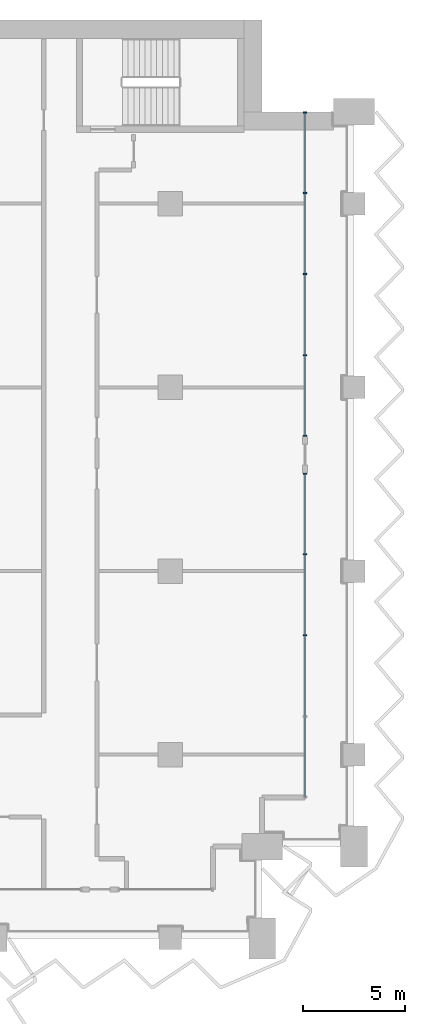
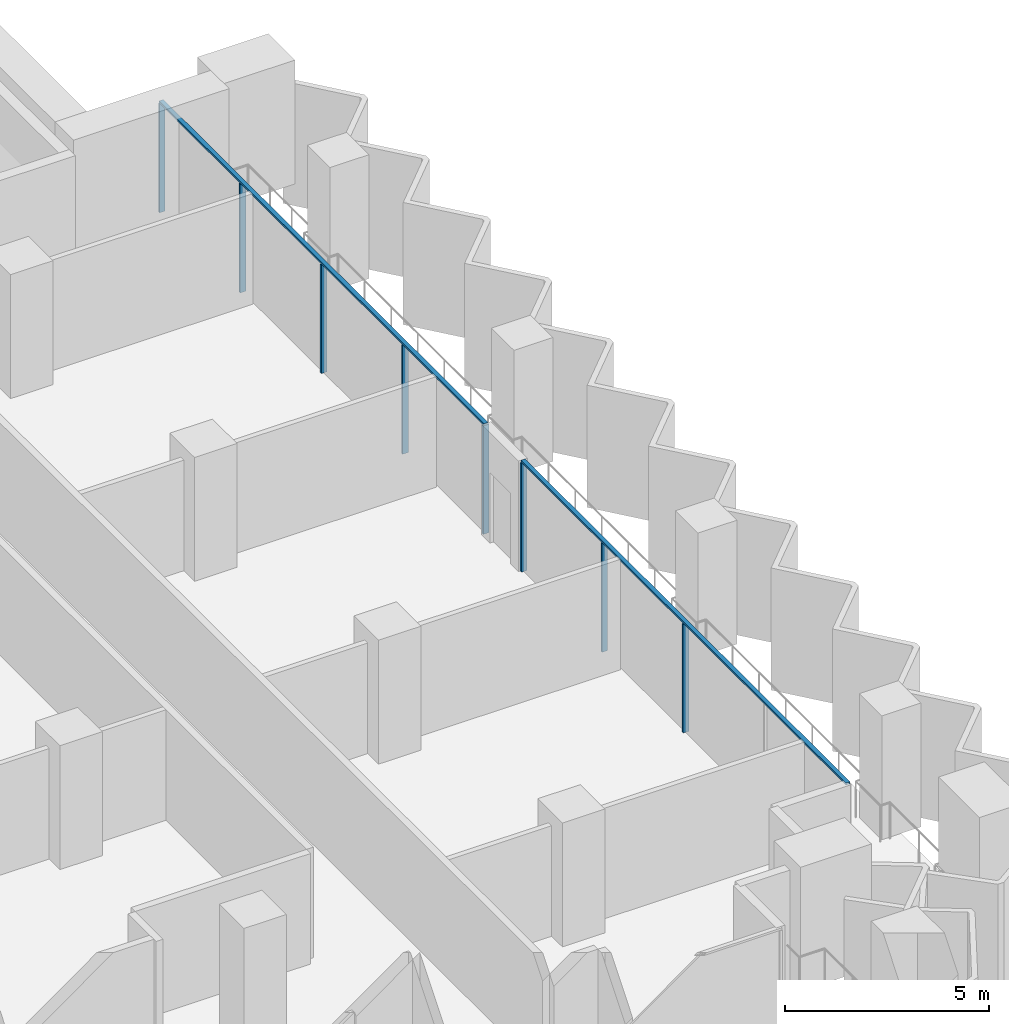
# One storey, part 5 of 22: 10 members, 2 elements without a shape of their own.
"""IFC4 building model written with IfcOpenShell, lengths in metres."""

from ifc_helpers import new_model, si_unit, direction, frame, origin, origin_2d, place, context, subcontext, project, spatial, rectangle, extrude, material, material_profile, profile_set, type_object, element, aggregate, save


model = new_model("IFC4")

# Units and contexts
model_context = context("Model", 3, precision=1e-05, world=origin(), true_north=direction((0.0, 1.0)))
body_context = subcontext(model_context, "Body", "Model", "MODEL_VIEW")
ifc_project = project(units=[si_unit("LENGTHUNIT", "METRE"), si_unit("AREAUNIT", "SQUARE_METRE"), si_unit("VOLUMEUNIT", "CUBIC_METRE"), si_unit("PLANEANGLEUNIT", "RADIAN"), si_unit("MASSUNIT", "GRAM", prefix="KILO")], contexts=[model_context])

# Site, building, storey
site_placement = place(None, origin())
site = spatial("IfcSite", under=ifc_project, at=site_placement, CompositionType="ELEMENT")
building_placement = place(site_placement, origin())
building = spatial("IfcBuilding", under=site, at=building_placement, Name="Hunhe Ridgeline Campus", CompositionType="ELEMENT")
storey_placement = place(building_placement, frame((0.0, 0.0, 133.800048828125)))
storey = spatial("IfcBuildingStorey", under=building, at=storey_placement, Name="L33", CompositionType="ELEMENT", Elevation=133.800048828125)

# Curtain wall, members
ifc_material = material(Name="Aluminium 6063", Category="aluminium")
curtain_wall_type = type_object("IfcCurtainWallType", Name="Curtain wall CW-1", PredefinedType="NOTDEFINED", material=ifc_material)
curtain_wall_1_placement = place(storey_placement, origin())
curtain_wall_1 = element("IfcCurtainWall", 1, at=curtain_wall_1_placement, inside=storey, type_object=curtain_wall_type, Name="Curtain wall 15", PredefinedType="NOTDEFINED")
ifc_material_profile_1 = material_profile(ifc_material, rectangle(XDim=0.159912109375, YDim=0.06005859375, at=origin_2d()))
ifc_profile_set_1 = profile_set([ifc_material_profile_1], Name="Aluminium 6063")
member_type_1 = type_object("IfcMemberType", Name="CW-1 aluminium mullion", PredefinedType="MULLION", material=ifc_profile_set_1)
member_1_placement = place(storey_placement, frame((60.59912109375, 68.850830078125, 0.0), z_axis=(0.0, 0.0, 1.0), x_axis=(-1.0, 0.0, 0.0)))
member_1 = element("IfcMember", 2, at=member_1_placement, type_object=member_type_1, Name="CW-1 mullion 3", PredefinedType="MULLION", context=body_context, shape_type="SweptSolid", body=[
    extrude(rectangle(XDim=0.159912109375, YDim=0.06005859375, at=origin_2d()), origin(), (0.0, 0.0, 1.0), 3.239990234375),
])
member_2_placement = place(storey_placement, frame((60.59912109375, 72.82568359375, 0.0), z_axis=(0.0, 0.0, 1.0), x_axis=(-1.0, 0.0, 0.0)))
member_2 = element("IfcMember", 3, at=member_2_placement, type_object=member_type_1, Name="CW-1 mullion 4", PredefinedType="MULLION", context=body_context, shape_type="SweptSolid", body=[
    extrude(rectangle(XDim=0.159912109375, YDim=0.06005859375, at=origin_2d()), origin(), (0.0, 0.0, 1.0), 3.239990234375),
])
member_3_placement = place(storey_placement, frame((60.59912109375, 76.7705078125, 0.0), z_axis=(0.0, 0.0, 1.0), x_axis=(-1.0, 0.0, 0.0)))
member_3 = element("IfcMember", 4, at=member_3_placement, type_object=member_type_1, Name="CW-1 mullion 5", PredefinedType="MULLION", context=body_context, shape_type="SweptSolid", body=[
    extrude(rectangle(XDim=0.159912109375, YDim=0.06005859375, at=origin_2d()), origin(), (0.0, 0.0, 1.0), 3.239990234375),
])

curtain_wall_2_placement = place(storey_placement, origin())
curtain_wall_2 = element("IfcCurtainWall", 5, at=curtain_wall_2_placement, inside=storey, type_object=curtain_wall_type, Name="Curtain wall 16", PredefinedType="NOTDEFINED")
member_4_placement = place(storey_placement, frame((60.59912109375, 78.630615234375, 0.0), z_axis=(0.0, 0.0, 1.0), x_axis=(-1.0, 0.0, 0.0)))
member_4 = element("IfcMember", 6, at=member_4_placement, type_object=member_type_1, Name="CW-1 mullion 1", PredefinedType="MULLION", context=body_context, shape_type="SweptSolid", body=[
    extrude(rectangle(XDim=0.159912109375, YDim=0.06005859375, at=origin_2d()), origin(), (0.0, 0.0, 1.0), 3.239990234375),
])
member_5_placement = place(storey_placement, frame((60.59912109375, 82.575439453125, 0.0), z_axis=(0.0, 0.0, 1.0), x_axis=(-1.0, 0.0, 0.0)))
member_5 = element("IfcMember", 7, at=member_5_placement, type_object=member_type_1, Name="CW-1 mullion 2", PredefinedType="MULLION", context=body_context, shape_type="SweptSolid", body=[
    extrude(rectangle(XDim=0.159912109375, YDim=0.06005859375, at=origin_2d()), origin(), (0.0, 0.0, 1.0), 3.239990234375),
])
member_6_placement = place(storey_placement, frame((60.59912109375, 86.55029296875, 0.0), z_axis=(0.0, 0.0, 1.0), x_axis=(-1.0, 0.0, 0.0)))
member_6 = element("IfcMember", 8, at=member_6_placement, type_object=member_type_1, Name="CW-1 mullion 3", PredefinedType="MULLION", context=body_context, shape_type="SweptSolid", body=[
    extrude(rectangle(XDim=0.159912109375, YDim=0.06005859375, at=origin_2d()), origin(), (0.0, 0.0, 1.0), 3.239990234375),
])
member_7_placement = place(storey_placement, frame((60.59912109375, 90.525146484375, 0.0), z_axis=(0.0, 0.0, 1.0), x_axis=(-1.0, 0.0, 0.0)))
member_7 = element("IfcMember", 9, at=member_7_placement, type_object=member_type_1, Name="CW-1 mullion 4", PredefinedType="MULLION", context=body_context, shape_type="SweptSolid", body=[
    extrude(rectangle(XDim=0.159912109375, YDim=0.06005859375, at=origin_2d()), origin(), (0.0, 0.0, 1.0), 3.239990234375),
])
member_8_placement = place(storey_placement, frame((60.59912109375, 94.469970703125, 0.0), z_axis=(0.0, 0.0, 1.0), x_axis=(-1.0, 0.0, 0.0)))
member_8 = element("IfcMember", 10, at=member_8_placement, type_object=member_type_1, Name="CW-1 mullion 5", PredefinedType="MULLION", context=body_context, shape_type="SweptSolid", body=[
    extrude(rectangle(XDim=0.159912109375, YDim=0.06005859375, at=origin_2d()), origin(), (0.0, 0.0, 1.0), 3.239990234375),
])

# Member
ifc_material_profile_2 = material_profile(ifc_material, rectangle(XDim=0.1201171875, YDim=0.06005859375, at=origin_2d()))
ifc_profile_set_2 = profile_set([ifc_material_profile_2], Name="Aluminium 6063")
member_type_2 = type_object("IfcMemberType", Name="CW-1 aluminium transom", PredefinedType="USERDEFINED", material=ifc_profile_set_2)
member_9_placement = place(storey_placement, frame((60.59912109375, 60.90087890625, 3.27001953125), z_axis=(0.0, 1.0, 0.0), x_axis=(-1.0, 0.0, 0.0)))
member_9 = element("IfcMember", 11, at=member_9_placement, type_object=member_type_2, Name="CW-1 transom 1", ObjectType="TRANSOM", PredefinedType="USERDEFINED", context=body_context, shape_type="SweptSolid", body=[
    extrude(rectangle(XDim=0.1201171875, YDim=0.06005859375, at=origin_2d()), origin(), (0.0, 0.0, 1.0), 15.899658203125),
])

aggregate(curtain_wall_1, [member_9, member_1, member_2, member_3])

member_10_placement = place(storey_placement, frame((60.59912109375, 78.6005859375, 3.27001953125), z_axis=(0.0, 1.0, 0.0), x_axis=(-1.0, 0.0, 0.0)))
member_10 = element("IfcMember", 12, at=member_10_placement, type_object=member_type_2, Name="CW-1 transom 1", ObjectType="TRANSOM", PredefinedType="USERDEFINED", context=body_context, shape_type="SweptSolid", body=[
    extrude(rectangle(XDim=0.1201171875, YDim=0.06005859375, at=origin_2d()), origin(), (0.0, 0.0, 1.0), 15.8994140625),
])

aggregate(curtain_wall_2, [member_10, member_4, member_5, member_6, member_7, member_8])

save(model, "model.ifc")
